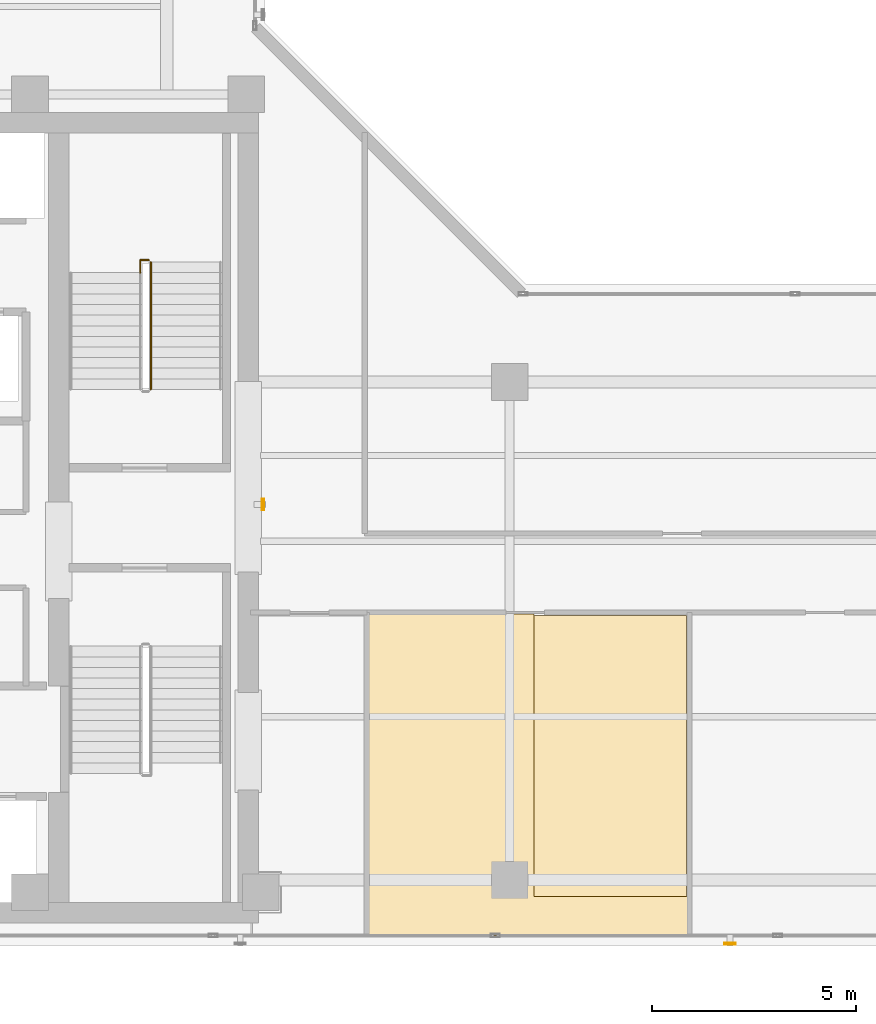
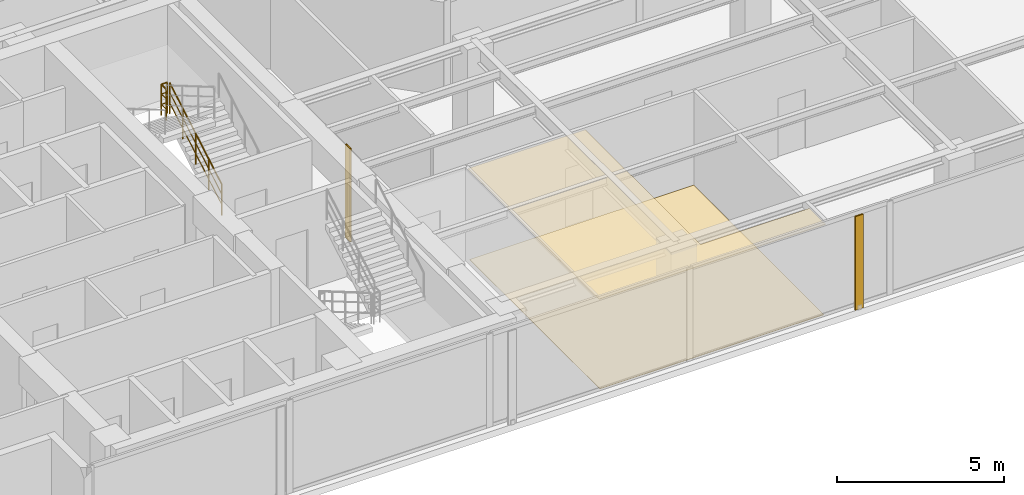
# One storey, part 20 of 23: 2 coverings, 2 railings, 2 shading devices.
"""IFC4 building model written with IfcOpenShell, lengths in metres."""

from ifc_helpers import new_model, si_unit, direction, frame, origin, origin_2d, place, context, subcontext, project, spatial, polyline, hollow_rectangle, circle, outline, extrude, material, layer, layer_set, material_profile, profile_set, type_object, element, save


model = new_model("IFC4")

# Units and contexts
model_context = context("Model", 3, precision=1e-05, world=origin(), true_north=direction((0.0, 1.0)))
body_context = subcontext(model_context, "Body", "Model", "MODEL_VIEW")
ifc_project = project(units=[si_unit("LENGTHUNIT", "METRE"), si_unit("AREAUNIT", "SQUARE_METRE"), si_unit("VOLUMEUNIT", "CUBIC_METRE"), si_unit("PLANEANGLEUNIT", "RADIAN"), si_unit("MASSUNIT", "GRAM", prefix="KILO")], contexts=[model_context])

# Site, building, storey
site_placement = place(None, origin())
site = spatial("IfcSite", under=ifc_project, at=site_placement, CompositionType="ELEMENT")
building_placement = place(site_placement, origin())
building = spatial("IfcBuilding", under=site, at=building_placement, Name="Kolvaren Waterfront Exchange", CompositionType="ELEMENT")
storey_placement = place(building_placement, frame((0.0, 0.0, 335.0)))
storey = spatial("IfcBuildingStorey", under=building, at=storey_placement, Name="L86", CompositionType="ELEMENT", Elevation=335.0)

# Covering
ifc_material_1 = material(Name="Mineral fibre acoustic ceiling tile")
ifc_layer_1 = layer(ifc_material_1, 0.02490234375, Name="Mineral fibre acoustic ceiling tile")
ifc_layer_set_1 = layer_set([ifc_layer_1], Name="Mineral fibre acoustic ceiling tile")
covering_type_1 = type_object("IfcCoveringType", Name="ARC-CEIL-ACOUSTIC-25", PredefinedType="CEILING", material=ifc_layer_set_1)
covering_1_placement = place(storey_placement, frame((0.0, 0.0, 3.304931640625)))
element("IfcCovering", 1, at=covering_1_placement, inside=storey, type_object=covering_type_1, Name="L86 acoustic suspended ceiling 3", PredefinedType="CEILING", context=body_context, shape_type="SweptSolid", body=[
    extrude(outline(polyline([(31.56494140625, 3.844970703125), (31.56494140625, 4.800048828125), (27.800048828125, 4.800048828125), (27.800048828125, 11.715087890625), (23.7451171875, 11.715087890625), (23.7451171875, 3.844970703125), (31.56494140625, 3.844970703125)])), origin(), (0.0, 0.0, 1.0), 0.025146484375),
])

# Shading devices
ifc_material_2 = material(Name="Anodised bronze aluminium 6063-T6", Category="aluminium")
ifc_material_profile = material_profile(ifc_material_2, hollow_rectangle(XDim=0.054931640625, YDim=0.280029296875, WallThickness=0.00439453125, at=origin_2d()), Name="BRZ-FIN-280x55x4.5")
ifc_profile_set = profile_set([ifc_material_profile], Name="Anodised bronze aluminium 6063-T6")
shading_device_type = type_object("IfcShadingDeviceType", Name="ARC-FIN-280", PredefinedType="USERDEFINED", material=ifc_profile_set)
for number, where, z_axis, x_axis, name in (
    (2, (32.60009765625, 3.639892578125, 0.0), (0.0, 0.0, 1.0), (0.0, -1.0, 0.0), "L86 anodised bronze solar shading fin FIN-L86-S3"),
    (3, (21.159912109375, 14.39990234375, 0.0), (0.0, 0.0, 1.0), (1.0, 0.0, 0.0), "L86 anodised bronze solar shading fin FIN-L86-E1"),
):
    element("IfcShadingDevice", number, at=place(storey_placement, frame(where, z_axis=z_axis, x_axis=x_axis)), inside=storey, type_object=shading_device_type, Name=name, ObjectType="SOLAR FIN", PredefinedType="USERDEFINED", context=body_context, shape_type="SweptSolid", body=[
        extrude(hollow_rectangle(XDim=0.054931640625, YDim=0.280029296875, WallThickness=0.00439453125, at=origin_2d()), origin(), (0.0, 0.0, 1.0), 3.419921875),
    ])

# Covering
ifc_material_3 = material(Name="Slip-resistant porcelain tile")
ifc_layer_2 = layer(ifc_material_3, 0.014892578125, Name="Slip-resistant porcelain tile")
ifc_layer_set_2 = layer_set([ifc_layer_2], Name="Slip-resistant porcelain tile")
covering_type_2 = type_object("IfcCoveringType", Name="ARC-FLR-PORC-15", PredefinedType="FLOORING", material=ifc_layer_set_2)
covering_2_placement = place(storey_placement, origin())
element("IfcCovering", 4, at=covering_2_placement, inside=storey, type_object=covering_type_2, Name="L86 floor finish 3", PredefinedType="FLOORING", context=body_context, shape_type="SweptSolid", body=[
    extrude(outline(polyline([(23.780029296875, 11.679931640625), (23.780029296875, 3.8798828125), (31.530029296875, 3.8798828125), (31.530029296875, 11.679931640625), (23.780029296875, 11.679931640625)])), origin(), (0.0, 0.0, 1.0), 0.014892578125),
])

# Railings
ifc_material_4 = material(Name="Stainless steel 316", Category="steel")
railing_type = type_object("IfcRailingType", Name="ARC-GUARD-STAIR", PredefinedType="GUARDRAIL", material=ifc_material_4)
railing_1_placement = place(storey_placement, frame((18.409912109375, 17.219970703125, 0.152099609375)))
element("IfcRailing", 5, at=railing_1_placement, inside=storey, type_object=railing_type, Name="L86 ST2 stair guard 1", PredefinedType="GUARDRAIL", context=body_context, shape_type="SweptSolid", body=[
    extrude(circle(Radius=0.02392578125, at=origin_2d()), frame((0.0, 0.0, 1.1259765625), z_axis=(0.0, 0.86330811405, 0.504677223793), x_axis=(-1.0, 0.0, 0.0)), (0.0, 0.0, 1.0), 3.6142578125),
    extrude(circle(Radius=0.01611328125, at=origin_2d()), frame((0.0, 0.0, 0.390869140625), z_axis=(0.0, 0.86330811405, 0.504677223793), x_axis=(-1.0, 0.0, 0.0)), (0.0, 0.0, 1.0), 3.6142578125),
    extrude(circle(Radius=0.01611328125, at=origin_2d()), frame((0.0, 0.0, 0.7705078125), z_axis=(0.0, 0.86330811405, 0.504677223793), x_axis=(-1.0, 0.0, 0.0)), (0.0, 0.0, 1.0), 3.6142578125),
    extrude(circle(Radius=0.02099609375, at=origin_2d()), origin(), (0.0, 0.0, 1.0), 1.101806640625),
    extrude(circle(Radius=0.02099609375, at=origin_2d()), frame((0.0, 0.780029296875, 0.4560546875)), (0.0, 0.0, 1.0), 1.101806640625),
    extrude(circle(Radius=0.02099609375, at=origin_2d()), frame((0.0, 1.56005859375, 0.912109375)), (0.0, 0.0, 1.0), 1.101806640625),
    extrude(circle(Radius=0.02099609375, at=origin_2d()), frame((0.0, 2.340087890625, 1.367919921875)), (0.0, 0.0, 1.0), 1.101806640625),
    extrude(circle(Radius=0.02099609375, at=origin_2d()), frame((0.0, 3.1201171875, 1.823974609375)), (0.0, 0.0, 1.0), 1.101806640625),
])
railing_2_placement = place(storey_placement, frame((18.360107421875, 20.389892578125, 1.97607421875)))
element("IfcRailing", 6, at=railing_2_placement, inside=storey, type_object=railing_type, Name="L86 ST2 stair guard 2", PredefinedType="GUARDRAIL", context=body_context, shape_type="SweptSolid", body=[
    extrude(circle(Radius=0.02392578125, at=origin_2d()), frame((0.0, 0.0, 1.1259765625), z_axis=(-1.0, 0.0, 0.0), x_axis=(0.0, -1.0, 0.0)), (0.0, 0.0, 1.0), 0.210205078125),
    extrude(circle(Radius=0.01611328125, at=origin_2d()), frame((0.0, 0.0, 0.390869140625), z_axis=(-1.0, 0.0, 0.0), x_axis=(0.0, -1.0, 0.0)), (0.0, 0.0, 1.0), 0.210205078125),
    extrude(circle(Radius=0.01611328125, at=origin_2d()), frame((0.0, 0.0, 0.7705078125), z_axis=(-1.0, 0.0, 0.0), x_axis=(0.0, -1.0, 0.0)), (0.0, 0.0, 1.0), 0.210205078125),
    extrude(circle(Radius=0.02392578125, at=origin_2d()), frame((-0.210205078125, 0.0, 1.1259765625), z_axis=(0.0, -1.0, 0.0), x_axis=(1.0, 0.0, 0.0)), (0.0, 0.0, 1.0), 0.309814453125),
    extrude(circle(Radius=0.01611328125, at=origin_2d()), frame((-0.210205078125, 0.0, 0.390869140625), z_axis=(0.0, -1.0, 0.0), x_axis=(1.0, 0.0, 0.0)), (0.0, 0.0, 1.0), 0.309814453125),
    extrude(circle(Radius=0.01611328125, at=origin_2d()), frame((-0.210205078125, 0.0, 0.7705078125), z_axis=(0.0, -1.0, 0.0), x_axis=(1.0, 0.0, 0.0)), (0.0, 0.0, 1.0), 0.309814453125),
    extrude(circle(Radius=0.02099609375, at=origin_2d()), origin(), (0.0, 0.0, 1.0), 1.101806640625),
    extrude(circle(Radius=0.02099609375, at=origin_2d()), frame((-0.210205078125, 0.0, 0.0)), (0.0, 0.0, 1.0), 1.101806640625),
    extrude(circle(Radius=0.02099609375, at=origin_2d()), frame((-0.210205078125, -0.309814453125, 0.0)), (0.0, 0.0, 1.0), 1.101806640625),
])

save(model, "model.ifc")
